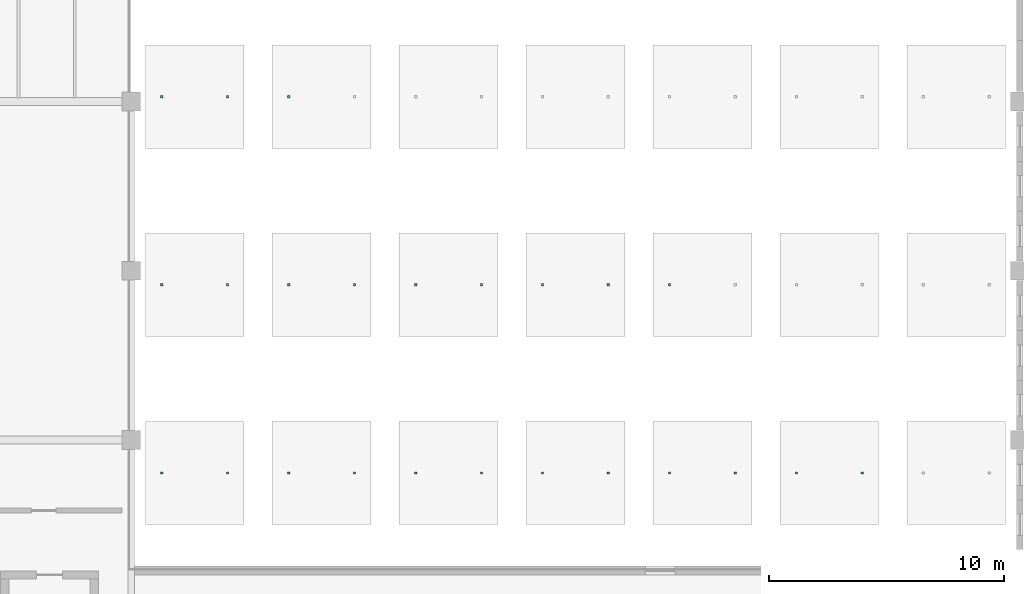
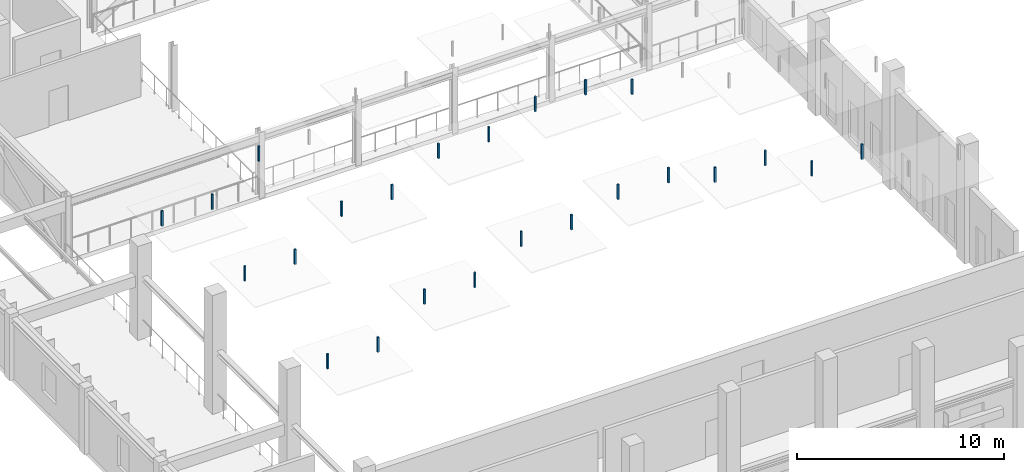
# One storey, part 26 of 44: 24 discrete accessories.
"""IFC4 building model written with IfcOpenShell, lengths in metres."""

import ifcopenshell
import ifcopenshell.guid

model = None  # the IFC model being written
_history = None  # IfcOwnerHistory: only IFC2X3 demands one
_inside = {}  # id of a spatial element -> (the spatial element, [elements in it])
_under = {}  # id of a project, library or spatial element -> (it, [spatial elements below it])
_declared = {}  # id of a project -> (the project, [libraries it declares])
_typed = {}  # id of a type object -> (the type object, [elements of that type])
_made_of = {}  # id of a material, layer set ... -> (it, [elements and type objects made of it])


def new_model(schema):
    """Start an empty IFC model of exactly this schema.

    Asked for "IFC4X3", IfcOpenShell would pick the latest addendum, in which some entities
    have other attributes; the version numbers below select the first issue.
    IFC2X3 requires an IfcOwnerHistory on every rooted entity: one is made here for all.
    """
    global model, _history
    if schema == "IFC4X3":
        model = ifcopenshell.file(schema_version=(4, 3, 0, 0))
    else:
        model = ifcopenshell.file(schema=schema)
    _inside.clear()
    _under.clear()
    _declared.clear()
    _typed.clear()
    _made_of.clear()
    _history = None
    if model.schema == "IFC2X3":
        org = make("IfcOrganization", Name="unknown")
        user = make(
            "IfcPersonAndOrganization",
            ThePerson=make("IfcPerson", FamilyName="unknown"),
            TheOrganization=org,
        )
        app = make(
            "IfcApplication",
            ApplicationDeveloper=org,
            Version="unknown",
            ApplicationFullName="unknown",
            ApplicationIdentifier="unknown",
        )
        _history = make(
            "IfcOwnerHistory",
            OwningUser=user,
            OwningApplication=app,
            ChangeAction="ADDED",
            CreationDate=0,
        )
    return model


def make(cls, **values):
    """One entity of the class cls with the attributes given. An attribute that is None is left unset."""
    return model.create_entity(
        cls, **{name: value for name, value in values.items() if value is not None}
    )


def rooted(cls, **values):
    """An entity with a GlobalId (a new one), such as an element, a storey or a relation."""
    return make(cls, GlobalId=ifcopenshell.guid.new(), OwnerHistory=_history, **values)


def si_unit(unit_type, name, prefix=None):
    """IfcSIUnit, for example si_unit("LENGTHUNIT", "METRE", prefix="MILLI")."""
    return make("IfcSIUnit", UnitType=unit_type, Prefix=prefix, Name=name)


def assignment(units):
    """IfcUnitAssignment: the units of a project."""
    return None if units is None else make("IfcUnitAssignment", Units=units)


def point(xyz):
    """IfcCartesianPoint."""
    return None if xyz is None else make("IfcCartesianPoint", Coordinates=xyz)


def direction(xyz):
    """IfcDirection."""
    return None if xyz is None else make("IfcDirection", DirectionRatios=xyz)


def frame(location, z_axis=None, x_axis=None):
    """IfcAxis2Placement3D, a coordinate frame: its origin and axes. An axis left out is left unset."""
    return make(
        "IfcAxis2Placement3D",
        Location=point(location),
        Axis=direction(z_axis),
        RefDirection=direction(x_axis),
    )


def frame_2d(location, x_axis=None):
    """IfcAxis2Placement2D, a coordinate frame in the plane: its origin and x axis."""
    return make(
        "IfcAxis2Placement2D", Location=point(location), RefDirection=direction(x_axis)
    )


def origin():
    """The frame at (0, 0, 0) with its axes left unset."""
    return frame((0.0, 0.0, 0.0))


def origin_2d():
    """The frame at (0, 0) in the plane with its x axis left unset."""
    return frame_2d((0.0, 0.0))


def place(relative_to, where):
    """IfcLocalPlacement: puts the frame where relative to a parent placement (None: the world)."""
    return make(
        "IfcLocalPlacement", PlacementRelTo=relative_to, RelativePlacement=where
    )


def context(
    kind, dimensions, precision=None, world=None, true_north=None, identifier=None
):
    """IfcGeometricRepresentationContext, for example the 3D "Model" context."""
    return make(
        "IfcGeometricRepresentationContext",
        ContextIdentifier=identifier,
        ContextType=kind,
        CoordinateSpaceDimension=dimensions,
        Precision=precision,
        WorldCoordinateSystem=world,
        TrueNorth=true_north,
    )


def subcontext(parent, identifier, kind, view, scale=None):
    """IfcGeometricRepresentationSubContext, for example "Body" below "Model"."""
    return make(
        "IfcGeometricRepresentationSubContext",
        ContextIdentifier=identifier,
        ContextType=kind,
        ParentContext=parent,
        TargetScale=scale,
        TargetView=view,
    )


def project(units=None, contexts=None):
    """IfcProject with its units and contexts."""
    return rooted(
        "IfcProject",
        Name="project",
        RepresentationContexts=contexts,
        UnitsInContext=assignment(units),
    )


def spatial(cls, under=None, at=None, **own):
    """A site, building, storey or space (cls), placed at a placement, below another one or the project."""
    s = rooted(cls, ObjectPlacement=at, **own)
    if under is not None:
        _under.setdefault(under.id(), (under, []))[1].append(s)
    return s


def profile(cls, at=None, kind="AREA", **sizes):
    """A parametric profile (cls). Its sizes go by their IFC names, for example OverallWidth=200.0."""
    return make(cls, ProfileType=kind, Position=at, **sizes)


def rectangle(**sizes):
    """IfcRectangleProfileDef."""
    return profile("IfcRectangleProfileDef", **sizes)


def extrude(swept, where, along, depth):
    """IfcExtrudedAreaSolid: the profile swept, set in the frame where, extruded along a direction by depth."""
    return make(
        "IfcExtrudedAreaSolid",
        SweptArea=swept,
        Position=where,
        ExtrudedDirection=direction(along),
        Depth=depth,
    )


def shape(context_of_items, identifier, shape_type, items):
    """IfcShapeRepresentation: the items that make up one representation, for example the "Body"."""
    return make(
        "IfcShapeRepresentation",
        ContextOfItems=context_of_items,
        RepresentationIdentifier=identifier,
        RepresentationType=shape_type,
        Items=items,
    )


def material(Name=None, Category=None):
    """IfcMaterial."""
    return make("IfcMaterial", Name=Name, Category=Category)


def made_of(thing, what):
    """Note that an element or type object is made of a material, layer set ...; save() writes the relation."""
    if what is not None:
        _made_of.setdefault(what.id(), (what, []))[1].append(thing)
    return thing


def type_object(cls, material=None, **own):
    """A type object (cls), such as IfcWallType, which elements share."""
    return made_of(rooted(cls, **own), material)


def element(
    cls,
    number,
    at=None,
    inside=None,
    cuts=None,
    type_object=None,
    material=None,
    context=None,
    identifier="Body",
    shape_type=None,
    held_by="IfcProductDefinitionShape",
    body=None,
    shapes=None,
    **own,
):
    """One element of the class cls, such as IfcWall. Its Tag is "e" and its number.

    at: its placement. inside: the storey or other place that contains it. cuts: it is an
    opening in that element (IfcRelVoidsElement). A single representation is given by context,
    identifier, shape_type and body (its items); several are given by shapes. held_by: the class
    of the entity that holds the representations. save() writes the other relations.
    """
    e = rooted(cls, Tag="e%d" % number, ObjectPlacement=at, **own)
    if body is not None:
        shapes = [shape(context, identifier, shape_type, body)]
    if shapes is not None:
        e.Representation = make(held_by, Representations=shapes)
    if inside is not None:
        _inside.setdefault(inside.id(), (inside, []))[1].append(e)
    if cuts is not None:
        rooted(
            "IfcRelVoidsElement", RelatingBuildingElement=cuts, RelatedOpeningElement=e
        )
    if type_object is not None:
        _typed.setdefault(type_object.id(), (type_object, []))[1].append(e)
    return made_of(e, material)


def aggregate(whole, parts):
    """IfcRelAggregates: a whole, such as a stair, and the parts it consists of."""
    return rooted("IfcRelAggregates", RelatingObject=whole, RelatedObjects=parts)


def save(model, path):
    """Write the relations noted so far, then the file.

    IfcRelAggregates (storeys below a building ...), IfcRelContainedInSpatialStructure (elements
    in a storey), IfcRelDefinesByType, IfcRelAssociatesMaterial and IfcRelDeclares: one each for
    every whole, place, type object, material and project.
    """
    for whole, parts in _under.values():
        aggregate(whole, parts)
    for where, things in _inside.values():
        rooted(
            "IfcRelContainedInSpatialStructure",
            RelatedElements=things,
            RelatingStructure=where,
        )
    for kind, things in _typed.values():
        rooted("IfcRelDefinesByType", RelatedObjects=things, RelatingType=kind)
    for what, things in _made_of.values():
        rooted("IfcRelAssociatesMaterial", RelatedObjects=things, RelatingMaterial=what)
    for by, libraries in _declared.values():
        rooted("IfcRelDeclares", RelatingContext=by, RelatedDefinitions=libraries)
    model.write(path)


model = new_model("IFC4")

# Units and contexts
model_context = context("Model", 3, precision=1e-05, world=origin(), true_north=direction((0.0, 1.0)))
body_context = subcontext(model_context, "Body", "Model", "MODEL_VIEW")
ifc_project = project(units=[si_unit("LENGTHUNIT", "METRE"), si_unit("AREAUNIT", "SQUARE_METRE"), si_unit("VOLUMEUNIT", "CUBIC_METRE"), si_unit("PLANEANGLEUNIT", "RADIAN"), si_unit("MASSUNIT", "GRAM", prefix="KILO")], contexts=[model_context])

# Site, building, storey
site_placement = place(None, origin())
site = spatial("IfcSite", under=ifc_project, at=site_placement, CompositionType="ELEMENT")
building_placement = place(site_placement, origin())
building = spatial("IfcBuilding", under=site, at=building_placement, Name="Tazoul Stagehouse", CompositionType="ELEMENT")
storey_placement = place(building_placement, frame((0.0, 0.0, 13.199951171875)))
storey = spatial("IfcBuildingStorey", under=building, at=storey_placement, Name="L03", CompositionType="ELEMENT", Elevation=13.199951171875)

# Discrete accessories
ifc_material = material(Name="Austenitic Stainless Steel EN 1.4401", Category="steel")
discrete_accessory_type = type_object("IfcDiscreteAccessoryType", Name="Interior Acoustic Hanger Bracket", PredefinedType="BRACKET", material=ifc_material)
for number, where, z_axis, x_axis, name in (
    (1, (58.89990234375, 64.800048828125, 7.0927734375), (0.0, 0.0, 1.0), (1.0, 0.0, 0.0), "Acoustic Cloud Suspension Hanger 1.1-W"),
    (2, (61.699951171875, 64.800048828125, 7.0927734375), (0.0, 0.0, 1.0), (1.0, 0.0, 0.0), "Acoustic Cloud Suspension Hanger 1.1-E"),
    (3, (58.89990234375, 72.800048828125, 7.4208984375), (0.0, 0.0, 1.0), (1.0, 0.0, 0.0), "Acoustic Cloud Suspension Hanger 1.2-W"),
    (4, (61.699951171875, 72.800048828125, 7.4208984375), (0.0, 0.0, 1.0), (1.0, 0.0, 0.0), "Acoustic Cloud Suspension Hanger 1.2-E"),
    (5, (58.89990234375, 80.800048828125, 5.81591796875), (0.0, 0.0, 1.0), (1.0, 0.0, 0.0), "Acoustic Cloud Suspension Hanger 1.3-W"),
    (6, (61.699951171875, 80.800048828125, 5.81591796875), (0.0, 0.0, 1.0), (1.0, 0.0, 0.0), "Acoustic Cloud Suspension Hanger 1.3-E"),
    (7, (64.300048828125, 64.800048828125, 9.0126953125), (0.0, 0.0, 1.0), (1.0, 0.0, 0.0), "Acoustic Cloud Suspension Hanger 2.1-W"),
    (8, (67.10009765625, 64.800048828125, 9.0126953125), (0.0, 0.0, 1.0), (1.0, 0.0, 0.0), "Acoustic Cloud Suspension Hanger 2.1-E"),
    (9, (64.300048828125, 72.800048828125, 9.3408203125), (0.0, 0.0, 1.0), (1.0, 0.0, 0.0), "Acoustic Cloud Suspension Hanger 2.2-W"),
    (10, (67.10009765625, 72.800048828125, 9.3408203125), (0.0, 0.0, 1.0), (1.0, 0.0, 0.0), "Acoustic Cloud Suspension Hanger 2.2-E"),
    (11, (64.300048828125, 80.800048828125, 7.7353515625), (0.0, 0.0, 1.0), (1.0, 0.0, 0.0), "Acoustic Cloud Suspension Hanger 2.3-W"),
    (12, (69.699951171875, 64.800048828125, 10.533203125), (0.0, 0.0, 1.0), (1.0, 0.0, 0.0), "Acoustic Cloud Suspension Hanger 3.1-W"),
    (13, (72.5, 64.800048828125, 10.533203125), (0.0, 0.0, 1.0), (1.0, 0.0, 0.0), "Acoustic Cloud Suspension Hanger 3.1-E"),
    (14, (69.699951171875, 72.800048828125, 10.861328125), (0.0, 0.0, 1.0), (1.0, 0.0, 0.0), "Acoustic Cloud Suspension Hanger 3.2-W"),
    (15, (72.5, 72.800048828125, 10.861328125), (0.0, 0.0, 1.0), (1.0, 0.0, 0.0), "Acoustic Cloud Suspension Hanger 3.2-E"),
    (16, (75.10009765625, 64.800048828125, 11.41162109375), (0.0, 0.0, 1.0), (1.0, 0.0, 0.0), "Acoustic Cloud Suspension Hanger 4.1-W"),
    (17, (77.89990234375, 64.800048828125, 11.41162109375), (0.0, 0.0, 1.0), (1.0, 0.0, 0.0), "Acoustic Cloud Suspension Hanger 4.1-E"),
    (18, (75.10009765625, 72.800048828125, 11.73974609375), (0.0, 0.0, 1.0), (1.0, 0.0, 0.0), "Acoustic Cloud Suspension Hanger 4.2-W"),
    (19, (77.89990234375, 72.800048828125, 11.73974609375), (0.0, 0.0, 1.0), (1.0, 0.0, 0.0), "Acoustic Cloud Suspension Hanger 4.2-E"),
    (20, (80.5, 64.800048828125, 10.533203125), (0.0, 0.0, 1.0), (1.0, 0.0, 0.0), "Acoustic Cloud Suspension Hanger 5.1-W"),
    (21, (83.300048828125, 64.800048828125, 10.533203125), (0.0, 0.0, 1.0), (1.0, 0.0, 0.0), "Acoustic Cloud Suspension Hanger 5.1-E"),
    (22, (80.5, 72.800048828125, 10.861328125), (0.0, 0.0, 1.0), (1.0, 0.0, 0.0), "Acoustic Cloud Suspension Hanger 5.2-W"),
    (23, (85.89990234375, 64.800048828125, 9.0126953125), (0.0, 0.0, 1.0), (1.0, 0.0, 0.0), "Acoustic Cloud Suspension Hanger 6.1-W"),
    (24, (88.699951171875, 64.800048828125, 9.0126953125), (0.0, 0.0, 1.0), (1.0, 0.0, 0.0), "Acoustic Cloud Suspension Hanger 6.1-E"),
):
    element("IfcDiscreteAccessory", number, at=place(storey_placement, frame(where, z_axis=z_axis, x_axis=x_axis)), inside=storey, type_object=discrete_accessory_type, Name=name, PredefinedType="BRACKET", context=body_context, shape_type="SweptSolid", body=[
        extrude(rectangle(XDim=0.10009765625, YDim=0.10009765625, at=origin_2d()), origin(), (0.0, 0.0, 1.0), 0.889892578125),
    ])

save(model, "model.ifc")
